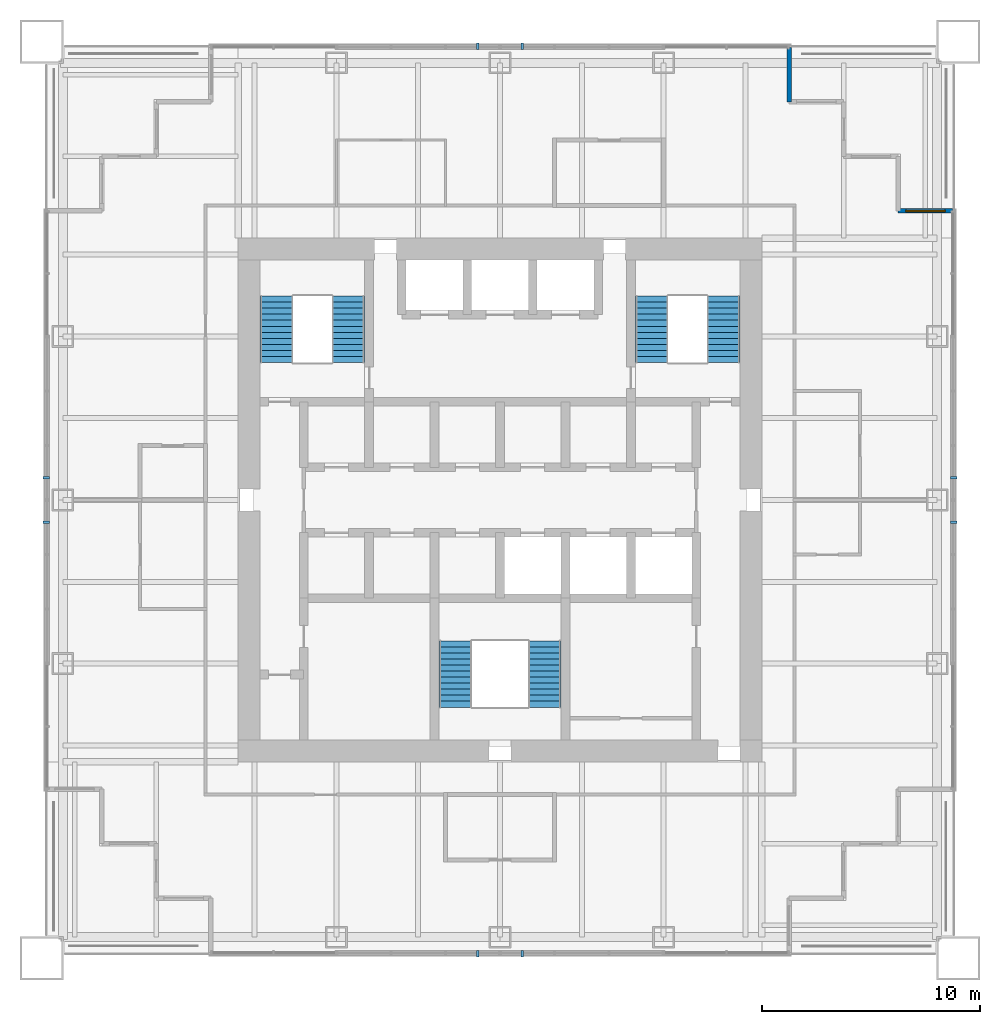
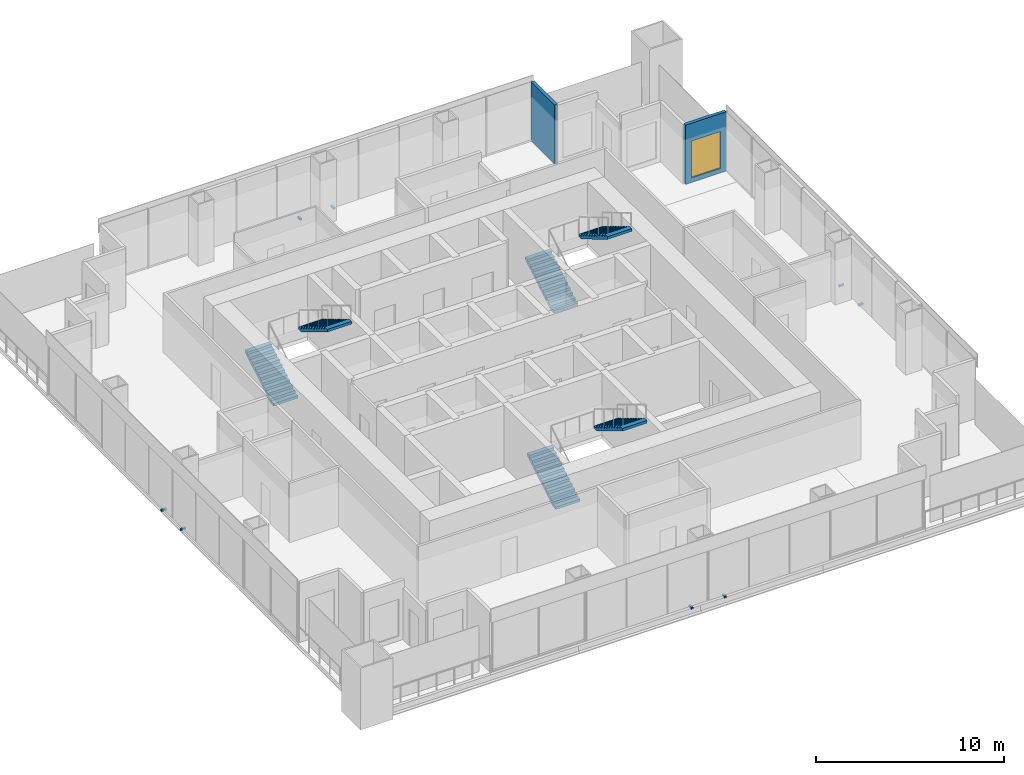
# One storey, part 12 of 14: 8 discrete accessories, 6 stair flights, 2 walls, 1 window, 1 opening, 3 elements without a shape of their own.
"""IFC4 building model written with IfcOpenShell, lengths in metres."""

from ifc_helpers import new_model, si_unit, direction, frame, frame_2d, origin, origin_2d, place, context, subcontext, project, spatial, polyline, rectangle, outline, extrude, material, layer, layer_set, type_object, element, fill, aggregate, save


model = new_model("IFC4")

# Units and contexts
model_context = context("Model", 3, precision=1e-05, world=origin(), true_north=direction((0.0, 1.0)))
body_context = subcontext(model_context, "Body", "Model", "MODEL_VIEW")
ifc_project = project(units=[si_unit("LENGTHUNIT", "METRE"), si_unit("AREAUNIT", "SQUARE_METRE"), si_unit("VOLUMEUNIT", "CUBIC_METRE"), si_unit("PLANEANGLEUNIT", "RADIAN"), si_unit("MASSUNIT", "GRAM", prefix="KILO")], contexts=[model_context])

# Site, building, storey
site_placement = place(None, origin())
site = spatial("IfcSite", under=ifc_project, at=site_placement, CompositionType="ELEMENT")
building_placement = place(site_placement, origin())
building = spatial("IfcBuilding", under=site, at=building_placement, Name="Tarangal Relay Tower", CompositionType="ELEMENT")
storey_placement = place(building_placement, frame((0.0, 0.0, 279.89990234375)))
storey = spatial("IfcBuildingStorey", under=building, at=storey_placement, Name="L61", CompositionType="ELEMENT", Elevation=279.89990234375)

# Wall
ifc_material_1 = material(Name="Black metal clad insulated wall", Category="steel")
ifc_layer = layer(ifc_material_1, 0.199951171875)
ifc_layer_set = layer_set([ifc_layer], Name="Corner wall metal clad 200")
wall_type = type_object("IfcWallType", Name="Corner wall metal clad 200", PredefinedType="SOLIDWALL", material=ifc_layer_set)
wall_1_placement = place(storey_placement, frame((13.25, 20.75, 0.0), z_axis=(0.0, 0.0, 1.0), x_axis=(0.0, -1.0, 0.0)))
element("IfcWall", 1, at=wall_1_placement, inside=storey, type_object=wall_type, Name="Facade wall N facade L61", PredefinedType="SOLIDWALL", context=body_context, shape_type="SweptSolid", body=[
    extrude(rectangle(XDim=2.5, YDim=0.199951171875, at=frame_2d((1.25, 0.0))), origin(), (0.0, 0.0, 1.0), 3.85009765625),
])

# Wall, opening, window
wall_2_placement = place(storey_placement, frame((18.25, 13.25, 0.0), z_axis=(0.0, 0.0, 1.0), x_axis=(1.0, 0.0, 0.0)))
wall_2 = element("IfcWall", 2, at=wall_2_placement, inside=storey, type_object=wall_type, Name="Facade wall N facade L61", PredefinedType="SOLIDWALL", context=body_context, shape_type="SweptSolid", body=[
    extrude(rectangle(XDim=2.5, YDim=0.199951171875, at=frame_2d((1.25, 0.0))), origin(), (0.0, 0.0, 1.0), 3.85009765625),
])
opening_placement = place(wall_2_placement, frame((0.35009765625, 0.0, 0.300048828125)))
opening = element("IfcOpeningElement", 3, at=opening_placement, cuts=wall_2, Name="Opening WN2", PredefinedType="OPENING", context=body_context, shape_type="SweptSolid", body=[
    extrude(rectangle(XDim=1.800048828125, YDim=2.39990234375, at=frame_2d((0.89990234375, 1.199951171875))), frame((0.0, 0.10986328125, 0.0), z_axis=(0.0, -1.0, 0.0), x_axis=(1.0, 0.0, 0.0)), (0.0, 0.0, 1.0), 0.219970703125),
])
ifc_material_2 = material(Name="Dark tinted double glazing in black aluminium frame", Category="aluminium")
window_type = type_object("IfcWindowType", Name="Corner window 1800 x 2400", PartitioningType="SINGLE_PANEL", PredefinedType="WINDOW", material=ifc_material_2)
window_placement = place(opening_placement, origin())
window = element("IfcWindow", 4, at=window_placement, inside=storey, type_object=window_type, Name="Corner window WN2 N facade L61", OverallHeight=2.39990234375, OverallWidth=1.800048828125, PartitioningType="SINGLE_PANEL", PredefinedType="WINDOW", context=body_context, shape_type="SweptSolid", body=[
    extrude(rectangle(XDim=1.800048828125, YDim=2.39990234375, at=frame_2d((0.89990234375, 1.199951171875))), frame((0.0, 0.030029296875, 0.0), z_axis=(0.0, -1.0, 0.0), x_axis=(1.0, 0.0, 0.0)), (0.0, 0.0, 1.0), 0.06005859375),
])
fill(opening, window)

# Stair, stair flights
ifc_material_3 = material(Name="Steel ASTM A992 stair flight", Category="steel")
stair_type = type_object("IfcStairType", Name="Core stair 1500", PredefinedType="HALF_TURN_STAIR", material=ifc_material_3)
stair_1_placement = place(storey_placement, origin())
stair_1 = element("IfcStair", 5, at=stair_1_placement, inside=storey, type_object=stair_type, Name="Stair ST-A L61", PredefinedType="HALF_TURN_STAIR")
stair_flight_type = type_object("IfcStairFlightType", Name="Steel stair flight 1500, 12 risers 167 x 277", PredefinedType="STRAIGHT", material=ifc_material_3)
stair_flight_1_placement = place(storey_placement, frame((-10.25, 6.300048828125, 0.0), z_axis=(0.0, 0.0, 1.0), x_axis=(0.0, 1.0, 0.0)))
stair_flight_1 = element("IfcStairFlight", 6, at=stair_flight_1_placement, type_object=stair_flight_type, Name="ST-A flight 1", NumberOfRisers=12, NumberOfTreads=11, PredefinedType="STRAIGHT", RiserHeight=0.166666667, TreadLength=0.277, context=body_context, shape_type="SweptSolid", body=[
    extrude(outline(polyline([(0.0, 0.0), (0.0, 0.166748046875), (0.277099609375, 0.166748046875), (0.277099609375, 0.333251953125), (0.553955078125, 0.333251953125), (0.553955078125, 0.5), (0.8310546875, 0.5), (0.8310546875, 0.666748046875), (1.10791015625, 0.666748046875), (1.10791015625, 0.833251953125), (1.385009765625, 0.833251953125), (1.385009765625, 1.0), (1.662109375, 1.0), (1.662109375, 1.166748046875), (1.93896484375, 1.166748046875), (1.93896484375, 1.333251953125), (2.216064453125, 1.333251953125), (2.216064453125, 1.5), (2.492919921875, 1.5), (2.492919921875, 1.666748046875), (2.77001953125, 1.666748046875), (2.77001953125, 1.833251953125), (3.047119140625, 1.833251953125), (3.047119140625, 2.0), (3.047119140625, 1.658447265625), (0.290771484375, 0.0), (0.0, 0.0)])), frame((0.0, 0.75, 0.0), z_axis=(0.0, -1.0, 0.0), x_axis=(1.0, 0.0, 0.0)), (0.0, 0.0, 1.0), 1.5),
])
stair_flight_2_placement = place(storey_placement, frame((-6.949951171875, 9.346923828125, 2.0), z_axis=(0.0, 0.0, 1.0), x_axis=(0.0, -1.0, 0.0)))
stair_flight_2 = element("IfcStairFlight", 7, at=stair_flight_2_placement, type_object=stair_flight_type, Name="ST-A flight 2", NumberOfRisers=12, NumberOfTreads=11, PredefinedType="STRAIGHT", RiserHeight=0.166666667, TreadLength=0.277, context=body_context, shape_type="SweptSolid", body=[
    extrude(outline(polyline([(0.0, 0.0), (0.0, 0.166748046875), (0.277099609375, 0.166748046875), (0.277099609375, 0.333251953125), (0.553955078125, 0.333251953125), (0.553955078125, 0.5), (0.8310546875, 0.5), (0.8310546875, 0.666748046875), (1.10791015625, 0.666748046875), (1.10791015625, 0.833251953125), (1.385009765625, 0.833251953125), (1.385009765625, 1.0), (1.662109375, 1.0), (1.662109375, 1.166748046875), (1.93896484375, 1.166748046875), (1.93896484375, 1.333251953125), (2.216064453125, 1.333251953125), (2.216064453125, 1.5), (2.492919921875, 1.5), (2.492919921875, 1.666748046875), (2.77001953125, 1.666748046875), (2.77001953125, 1.833251953125), (3.047119140625, 1.833251953125), (3.047119140625, 2.0), (3.047119140625, 1.658447265625), (0.290771484375, 0.0), (0.0, 0.0)])), frame((0.0, 0.75, 0.0), z_axis=(0.0, -1.0, 0.0), x_axis=(1.0, 0.0, 0.0)), (0.0, 0.0, 1.0), 1.5),
])
aggregate(stair_1, [stair_flight_1, stair_flight_2])

stair_2_placement = place(storey_placement, origin())
stair_2 = element("IfcStair", 8, at=stair_2_placement, inside=storey, type_object=stair_type, Name="Stair ST-B L61", PredefinedType="HALF_TURN_STAIR")
stair_flight_3_placement = place(storey_placement, frame((6.949951171875, 6.300048828125, 0.0), z_axis=(0.0, 0.0, 1.0), x_axis=(0.0, 1.0, 0.0)))
stair_flight_3 = element("IfcStairFlight", 9, at=stair_flight_3_placement, type_object=stair_flight_type, Name="ST-B flight 1", NumberOfRisers=12, NumberOfTreads=11, PredefinedType="STRAIGHT", RiserHeight=0.166666667, TreadLength=0.277, context=body_context, shape_type="SweptSolid", body=[
    extrude(outline(polyline([(0.0, 0.0), (0.0, 0.166748046875), (0.277099609375, 0.166748046875), (0.277099609375, 0.333251953125), (0.553955078125, 0.333251953125), (0.553955078125, 0.5), (0.8310546875, 0.5), (0.8310546875, 0.666748046875), (1.10791015625, 0.666748046875), (1.10791015625, 0.833251953125), (1.385009765625, 0.833251953125), (1.385009765625, 1.0), (1.662109375, 1.0), (1.662109375, 1.166748046875), (1.93896484375, 1.166748046875), (1.93896484375, 1.333251953125), (2.216064453125, 1.333251953125), (2.216064453125, 1.5), (2.492919921875, 1.5), (2.492919921875, 1.666748046875), (2.77001953125, 1.666748046875), (2.77001953125, 1.833251953125), (3.047119140625, 1.833251953125), (3.047119140625, 2.0), (3.047119140625, 1.658447265625), (0.290771484375, 0.0), (0.0, 0.0)])), frame((0.0, 0.75, 0.0), z_axis=(0.0, -1.0, 0.0), x_axis=(1.0, 0.0, 0.0)), (0.0, 0.0, 1.0), 1.5),
])
stair_flight_4_placement = place(storey_placement, frame((10.25, 9.346923828125, 2.0), z_axis=(0.0, 0.0, 1.0), x_axis=(0.0, -1.0, 0.0)))
stair_flight_4 = element("IfcStairFlight", 10, at=stair_flight_4_placement, type_object=stair_flight_type, Name="ST-B flight 2", NumberOfRisers=12, NumberOfTreads=11, PredefinedType="STRAIGHT", RiserHeight=0.166666667, TreadLength=0.277, context=body_context, shape_type="SweptSolid", body=[
    extrude(outline(polyline([(0.0, 0.0), (0.0, 0.166748046875), (0.277099609375, 0.166748046875), (0.277099609375, 0.333251953125), (0.553955078125, 0.333251953125), (0.553955078125, 0.5), (0.8310546875, 0.5), (0.8310546875, 0.666748046875), (1.10791015625, 0.666748046875), (1.10791015625, 0.833251953125), (1.385009765625, 0.833251953125), (1.385009765625, 1.0), (1.662109375, 1.0), (1.662109375, 1.166748046875), (1.93896484375, 1.166748046875), (1.93896484375, 1.333251953125), (2.216064453125, 1.333251953125), (2.216064453125, 1.5), (2.492919921875, 1.5), (2.492919921875, 1.666748046875), (2.77001953125, 1.666748046875), (2.77001953125, 1.833251953125), (3.047119140625, 1.833251953125), (3.047119140625, 2.0), (3.047119140625, 1.658447265625), (0.290771484375, 0.0), (0.0, 0.0)])), frame((0.0, 0.75, 0.0), z_axis=(0.0, -1.0, 0.0), x_axis=(1.0, 0.0, 0.0)), (0.0, 0.0, 1.0), 1.5),
])
aggregate(stair_2, [stair_flight_3, stair_flight_4])

stair_3_placement = place(storey_placement, origin())
stair_3 = element("IfcStair", 11, at=stair_3_placement, inside=storey, type_object=stair_type, Name="Stair ST-C L61", PredefinedType="HALF_TURN_STAIR")
stair_flight_5_placement = place(storey_placement, frame((-2.050048828125, -9.5, 0.0), z_axis=(0.0, 0.0, 1.0), x_axis=(0.0, 1.0, 0.0)))
stair_flight_5 = element("IfcStairFlight", 12, at=stair_flight_5_placement, type_object=stair_flight_type, Name="ST-C flight 1", NumberOfRisers=12, NumberOfTreads=11, PredefinedType="STRAIGHT", RiserHeight=0.166666667, TreadLength=0.277, context=body_context, shape_type="SweptSolid", body=[
    extrude(outline(polyline([(0.0, 0.0), (0.0, 0.166748046875), (0.277099609375, 0.166748046875), (0.277099609375, 0.333251953125), (0.553955078125, 0.333251953125), (0.553955078125, 0.5), (0.8310546875, 0.5), (0.8310546875, 0.666748046875), (1.10791015625, 0.666748046875), (1.10791015625, 0.833251953125), (1.385009765625, 0.833251953125), (1.385009765625, 1.0), (1.662109375, 1.0), (1.662109375, 1.166748046875), (1.93896484375, 1.166748046875), (1.93896484375, 1.333251953125), (2.216064453125, 1.333251953125), (2.216064453125, 1.5), (2.492919921875, 1.5), (2.492919921875, 1.666748046875), (2.77001953125, 1.666748046875), (2.77001953125, 1.833251953125), (3.047119140625, 1.833251953125), (3.047119140625, 2.0), (3.047119140625, 1.658447265625), (0.290771484375, 0.0), (0.0, 0.0)])), frame((0.0, 0.75, 0.0), z_axis=(0.0, -1.0, 0.0), x_axis=(1.0, 0.0, 0.0)), (0.0, 0.0, 1.0), 1.5),
])
stair_flight_6_placement = place(storey_placement, frame((2.050048828125, -6.452880859375, 2.0), z_axis=(0.0, 0.0, 1.0), x_axis=(0.0, -1.0, 0.0)))
stair_flight_6 = element("IfcStairFlight", 13, at=stair_flight_6_placement, type_object=stair_flight_type, Name="ST-C flight 2", NumberOfRisers=12, NumberOfTreads=11, PredefinedType="STRAIGHT", RiserHeight=0.166666667, TreadLength=0.277, context=body_context, shape_type="SweptSolid", body=[
    extrude(outline(polyline([(0.0, 0.0), (0.0, 0.166748046875), (0.277099609375, 0.166748046875), (0.277099609375, 0.333251953125), (0.553955078125, 0.333251953125), (0.553955078125, 0.5), (0.8310546875, 0.5), (0.8310546875, 0.666748046875), (1.10791015625, 0.666748046875), (1.10791015625, 0.833251953125), (1.385009765625, 0.833251953125), (1.385009765625, 1.0), (1.662109375, 1.0), (1.662109375, 1.166748046875), (1.93896484375, 1.166748046875), (1.93896484375, 1.333251953125), (2.216064453125, 1.333251953125), (2.216064453125, 1.5), (2.492919921875, 1.5), (2.492919921875, 1.666748046875), (2.77001953125, 1.666748046875), (2.77001953125, 1.833251953125), (3.047119140625, 1.833251953125), (3.047119140625, 2.0), (3.047119140625, 1.658447265625), (0.290771484375, 0.0), (0.0, 0.0)])), frame((0.0, 0.75, 0.0), z_axis=(0.0, -1.0, 0.0), x_axis=(1.0, 0.0, 0.0)), (0.0, 0.0, 1.0), 1.5),
])
aggregate(stair_3, [stair_flight_5, stair_flight_6])

# Discrete accessories
ifc_material_4 = material(Name="Steel ASTM A572 Grade 50", Category="steel")
discrete_accessory_type = type_object("IfcDiscreteAccessoryType", Name="Brace crossing restraint BRT4", PredefinedType="BRACKET", material=ifc_material_4)
for number, where, z_axis, x_axis, name in (
    (14, (1.0224609375, 20.800048828125, -0.1298828125), (0.0, 0.0, 1.0), (1.0, 0.0, 0.0), "Brace crossing restraint BRT4 N L61"),
    (15, (-1.0224609375, 20.800048828125, -0.1298828125), (0.0, 0.0, 1.0), (1.0, 0.0, 0.0), "Brace crossing restraint BRT4 N L61"),
):
    element("IfcDiscreteAccessory", number, at=place(storey_placement, frame(where, z_axis=z_axis, x_axis=x_axis)), inside=storey, type_object=discrete_accessory_type, Name=name, PredefinedType="BRACKET", context=body_context, shape_type="SweptSolid", body=[
        extrude(rectangle(XDim=0.1201171875, YDim=0.300048828125, at=origin_2d()), origin(), (0.0, 0.0, 1.0), 0.110107421875),
    ])
for number, where, z_axis, x_axis, name in (
    (16, (20.800048828125, -1.0224609375, -0.1298828125), (0.0, 0.0, 1.0), (1.0, 0.0, 0.0), "Brace crossing restraint BRT4 E L61"),
    (17, (20.800048828125, 1.0224609375, -0.1298828125), (0.0, 0.0, 1.0), (1.0, 0.0, 0.0), "Brace crossing restraint BRT4 E L61"),
):
    element("IfcDiscreteAccessory", number, at=place(storey_placement, frame(where, z_axis=z_axis, x_axis=x_axis)), inside=storey, type_object=discrete_accessory_type, Name=name, PredefinedType="BRACKET", context=body_context, shape_type="SweptSolid", body=[
        extrude(rectangle(XDim=0.300048828125, YDim=0.1201171875, at=origin_2d()), origin(), (0.0, 0.0, 1.0), 0.110107421875),
    ])
for number, where, z_axis, x_axis, name in (
    (18, (-1.0224609375, -20.800048828125, -0.1298828125), (0.0, 0.0, 1.0), (1.0, 0.0, 0.0), "Brace crossing restraint BRT4 S L61"),
    (19, (1.0224609375, -20.800048828125, -0.1298828125), (0.0, 0.0, 1.0), (1.0, 0.0, 0.0), "Brace crossing restraint BRT4 S L61"),
):
    element("IfcDiscreteAccessory", number, at=place(storey_placement, frame(where, z_axis=z_axis, x_axis=x_axis)), inside=storey, type_object=discrete_accessory_type, Name=name, PredefinedType="BRACKET", context=body_context, shape_type="SweptSolid", body=[
        extrude(rectangle(XDim=0.1201171875, YDim=0.300048828125, at=origin_2d()), origin(), (0.0, 0.0, 1.0), 0.110107421875),
    ])
for number, where, z_axis, x_axis, name in (
    (20, (-20.800048828125, 1.0224609375, -0.1298828125), (0.0, 0.0, 1.0), (1.0, 0.0, 0.0), "Brace crossing restraint BRT4 W L61"),
    (21, (-20.800048828125, -1.0224609375, -0.1298828125), (0.0, 0.0, 1.0), (1.0, 0.0, 0.0), "Brace crossing restraint BRT4 W L61"),
):
    element("IfcDiscreteAccessory", number, at=place(storey_placement, frame(where, z_axis=z_axis, x_axis=x_axis)), inside=storey, type_object=discrete_accessory_type, Name=name, PredefinedType="BRACKET", context=body_context, shape_type="SweptSolid", body=[
        extrude(rectangle(XDim=0.300048828125, YDim=0.1201171875, at=origin_2d()), origin(), (0.0, 0.0, 1.0), 0.110107421875),
    ])

save(model, "model.ifc")
